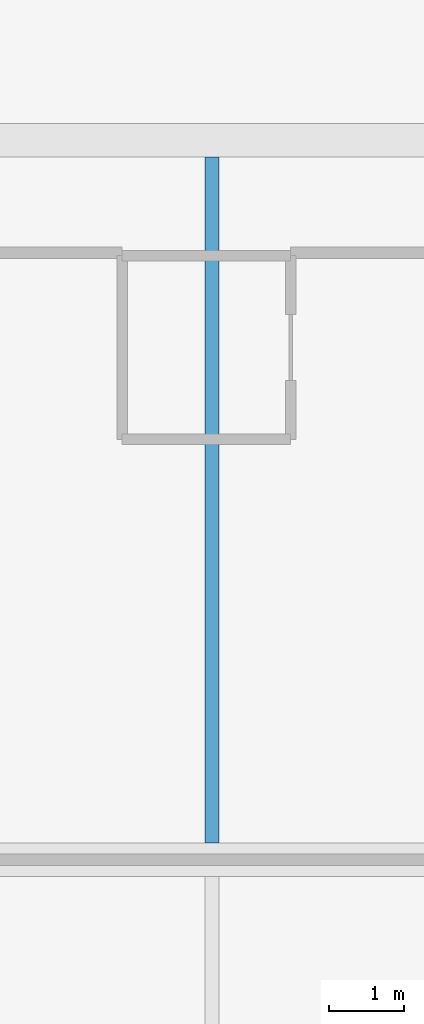
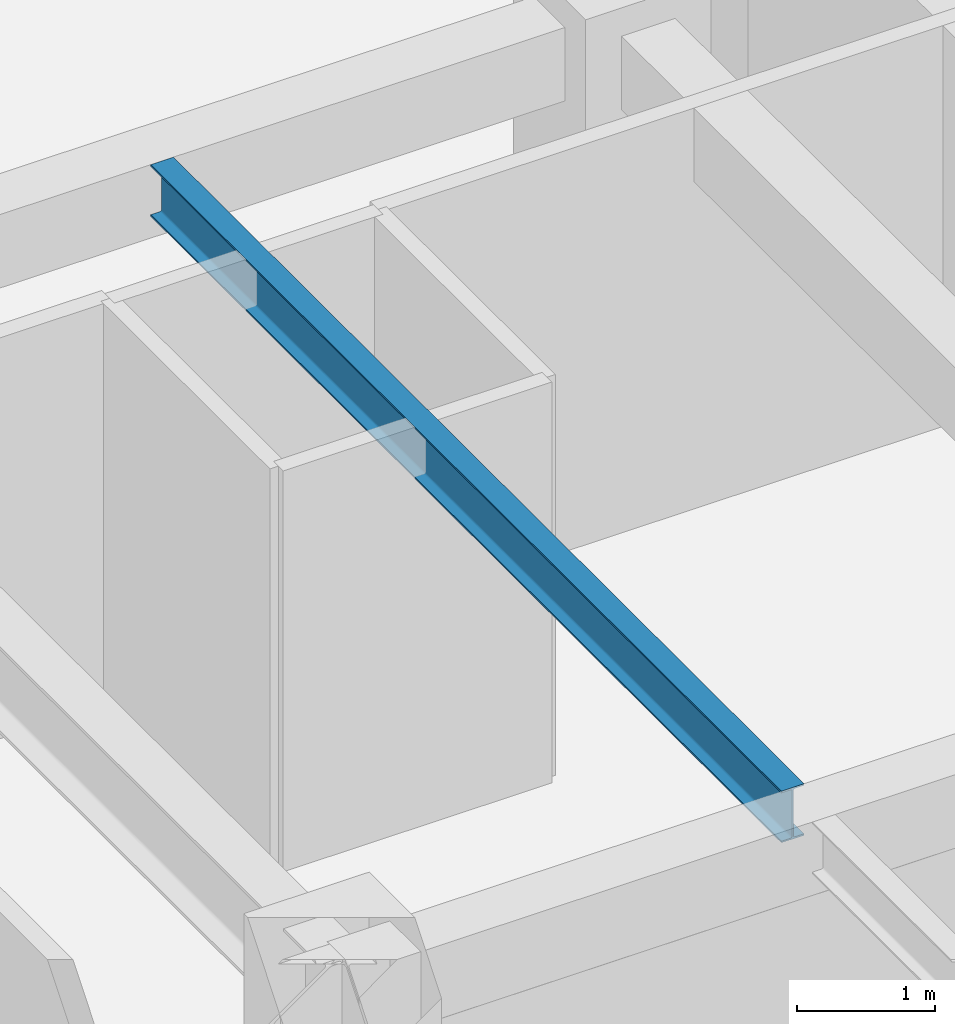
# One storey, part 2 of 11: 1 beam.
"""IFC4 building model written with IfcOpenShell, lengths in metres."""

from ifc_helpers import new_model, si_unit, direction, frame, origin, origin_2d, place, context, subcontext, project, spatial, i_section, extrude, material, material_profile, profile_set, type_object, element, save


model = new_model("IFC4")

# Units and contexts
model_context = context("Model", 3, precision=1e-05, world=origin(), true_north=direction((0.0, 1.0)))
body_context = subcontext(model_context, "Body", "Model", "MODEL_VIEW")
ifc_project = project(units=[si_unit("LENGTHUNIT", "METRE"), si_unit("AREAUNIT", "SQUARE_METRE"), si_unit("VOLUMEUNIT", "CUBIC_METRE"), si_unit("PLANEANGLEUNIT", "RADIAN"), si_unit("MASSUNIT", "GRAM", prefix="KILO")], contexts=[model_context])

# Site, building, storey
site_placement = place(None, origin())
site = spatial("IfcSite", under=ifc_project, at=site_placement, CompositionType="ELEMENT")
building_placement = place(site_placement, origin())
building = spatial("IfcBuilding", under=site, at=building_placement, Name="Kestravale Grand Hotel", CompositionType="ELEMENT")
storey_placement = place(building_placement, frame((0.0, 0.0, 161.199951171875)))
storey = spatial("IfcBuildingStorey", under=building, at=storey_placement, Name="L40", CompositionType="ELEMENT", Elevation=161.199951171875)

# Beam
ifc_material = material(Name="Steel ASTM A992 Grade 50", Category="steel")
ifc_material_profile = material_profile(ifc_material, i_section(OverallWidth=0.19091796875, OverallDepth=0.45703125, WebThickness=0.009033203125, FlangeThickness=0.014404296875, FilletRadius=0.015380859375, at=origin_2d()))
ifc_profile_set = profile_set([ifc_material_profile], Name="Steel ASTM A992 Grade 50")
beam_type = type_object("IfcBeamType", Name="B-FLR-JST18", PredefinedType="JOIST", material=ifc_profile_set)
beam_placement = place(storey_placement, frame((66.300048828125, 29.02490234375, 3.321533203125), z_axis=(0.0, 1.0, 0.0), x_axis=(-1.0, 0.0, 0.0)))
element("IfcBeam", 1, at=beam_placement, inside=storey, type_object=beam_type, Name="L40 floor joist 10-11/E-F #1", PredefinedType="JOIST", context=body_context, shape_type="SweptSolid", body=[
    extrude(i_section(OverallWidth=0.19091796875, OverallDepth=0.45703125, WebThickness=0.009033203125, FlangeThickness=0.014404296875, FilletRadius=0.015380859375, at=origin_2d()), origin(), (0.0, 0.0, 1.0), 9.150146484375),
])

save(model, "model.ifc")
